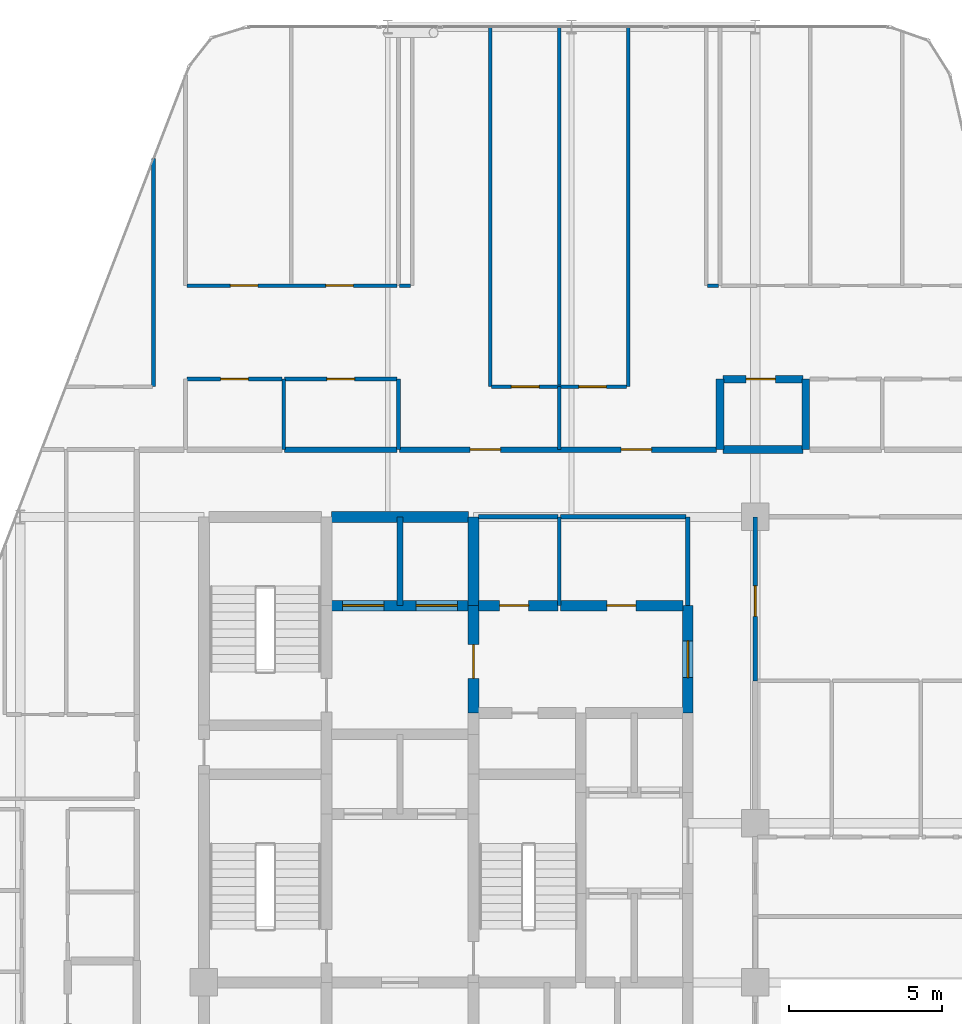
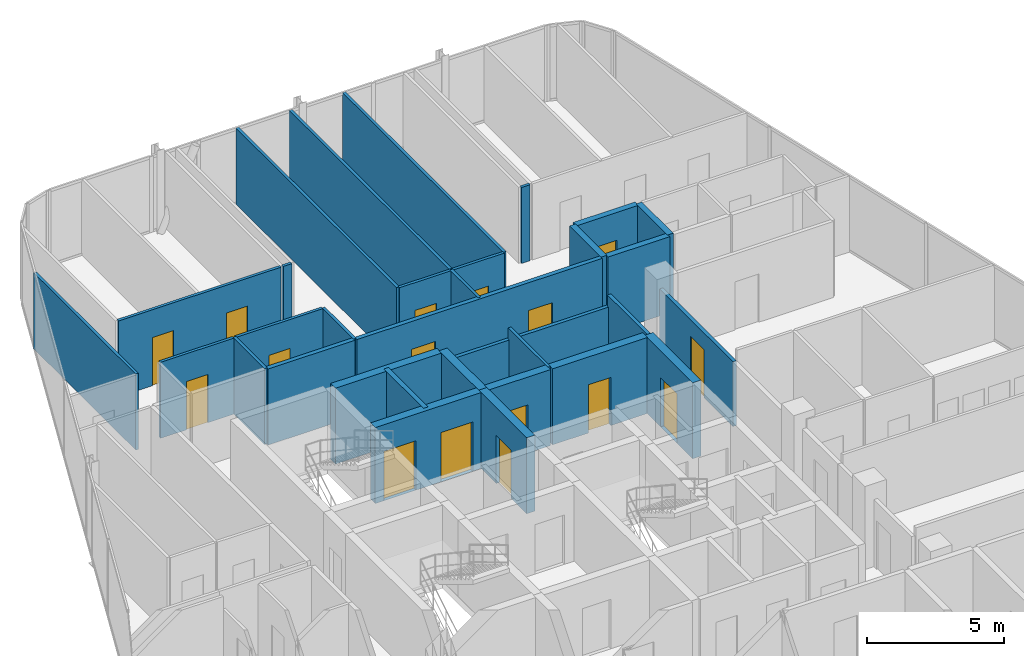
# One storey, part 27 of 29: 32 walls, 16 doors, 16 openings.
"""IFC4 building model written with IfcOpenShell, lengths in metres."""

from ifc_helpers import new_model, si_unit, direction, frame, frame_2d, origin, place, context, subcontext, project, spatial, rectangle, extrude, material, layer, layer_set, type_object, element, fill, save


model = new_model("IFC4")

# Units and contexts
model_context = context("Model", 3, precision=1e-05, world=origin(), true_north=direction((0.0, 1.0)))
body_context = subcontext(model_context, "Body", "Model", "MODEL_VIEW")
ifc_project = project(units=[si_unit("LENGTHUNIT", "METRE"), si_unit("AREAUNIT", "SQUARE_METRE"), si_unit("VOLUMEUNIT", "CUBIC_METRE"), si_unit("PLANEANGLEUNIT", "RADIAN"), si_unit("MASSUNIT", "GRAM", prefix="KILO")], contexts=[model_context])

# Site, building, storey
site_placement = place(None, origin())
site = spatial("IfcSite", under=ifc_project, at=site_placement, CompositionType="ELEMENT")
building_placement = place(site_placement, origin())
building = spatial("IfcBuilding", under=site, at=building_placement, Name="Keshet Zoharim Tower", CompositionType="ELEMENT")
storey_placement = place(building_placement, frame((0.0, 0.0, 192.10009765625)))
storey = spatial("IfcBuildingStorey", under=building, at=storey_placement, Name="L47", CompositionType="ELEMENT", Elevation=192.10009765625)

# Wall
ifc_material_1 = material(Name="Gypsum Plasterboard", Category="gypsum")
ifc_layer_1 = layer(ifc_material_1, 0.14990234375)
ifc_layer_set_1 = layer_set([ifc_layer_1], Name="Gypsum Plasterboard")
wall_type_1 = type_object("IfcWallType", Name="WL-CLIN-150", PredefinedType="STANDARD", material=ifc_layer_set_1)
wall_1_placement = place(storey_placement, frame((30.800048828125, 35.0, 0.0), z_axis=(0.0, 0.0, 1.0), x_axis=(0.0, 1.0, 0.0)))
element("IfcWall", 1, at=wall_1_placement, inside=storey, type_object=wall_type_1, Name="L47 Interior Wall 065", PredefinedType="STANDARD", context=body_context, shape_type="SweptSolid", body=[
    extrude(rectangle(XDim=2.89990234375, YDim=0.14990234375, at=frame_2d((1.449951171875, 0.0))), origin(), (0.0, 0.0, 1.0), 3.389892578125),
])

# Wall, opening, door
wall_2_placement = place(storey_placement, frame((33.0, 32.5400390625, 0.0), z_axis=(0.0, 0.0, 1.0), x_axis=(0.0, 1.0, 0.0)))
wall_2 = element("IfcWall", 2, at=wall_2_placement, inside=storey, type_object=wall_type_1, Name="L47 Interior Wall 075", PredefinedType="STANDARD", context=body_context, shape_type="SweptSolid", body=[
    extrude(rectangle(XDim=5.35986328125, YDim=0.14990234375, at=frame_2d((2.679931640625, 0.0))), origin(), (0.0, 0.0, 1.0), 2.889892578125),
])
opening_1_placement = place(wall_2_placement, frame((2.10888671875, 0.0, 0.0)))
opening_1 = element("IfcOpeningElement", 3, at=opening_1_placement, cuts=wall_2, Name="Opening D-F310", PredefinedType="OPENING", context=body_context, shape_type="SweptSolid", body=[
    extrude(rectangle(XDim=1.0, YDim=2.14990234375, at=frame_2d((0.5, 1.074951171875))), frame((0.0, 0.0849609375, 0.0), z_axis=(0.0, -1.0, 0.0), x_axis=(1.0, 0.0, 0.0)), (0.0, 0.0, 1.0), 0.169921875),
])
ifc_material_2 = material(Name="Hardwood Timber", Category="wood")
door_type_1 = type_object("IfcDoorType", Name="DR-FD30-100", OperationType="NOTDEFINED", PredefinedType="DOOR", material=ifc_material_2)
door_1_placement = place(opening_1_placement, origin())
door_1 = element("IfcDoor", 4, at=door_1_placement, inside=storey, type_object=door_type_1, Name="L47 North West Residents Services Suite Door 2", OperationType="SINGLE_SWING_RIGHT", OverallHeight=2.14990234375, OverallWidth=1.0, PredefinedType="DOOR", context=body_context, shape_type="SweptSolid", body=[
    extrude(rectangle(XDim=1.0, YDim=2.14990234375, at=frame_2d((0.5, 1.074951171875))), frame((0.0, 0.02490234375, 0.0), z_axis=(0.0, -1.0, 0.0), x_axis=(1.0, 0.0, 0.0)), (0.0, 0.0, 1.0), 0.050048828125),
])
fill(opening_1, door_1)

# Walls
wall_3_placement = place(storey_placement, frame((23.9599609375, 37.89990234375, 0.0), z_axis=(0.0, 0.0, 1.0), x_axis=(1.0, 0.0, 0.0)))
element("IfcWall", 5, at=wall_3_placement, inside=storey, type_object=wall_type_1, Name="L47 Interior Wall 178", PredefinedType="STANDARD", context=body_context, shape_type="SweptSolid", body=[
    extrude(rectangle(XDim=2.594970703125, YDim=0.14990234375, at=frame_2d((1.29736328125, 0.0))), origin(), (0.0, 0.0, 1.0), 2.889892578125),
])
wall_4_placement = place(storey_placement, frame((26.64501953125, 37.89990234375, 0.0), z_axis=(0.0, 0.0, 1.0), x_axis=(1.0, 0.0, 0.0)))
element("IfcWall", 6, at=wall_4_placement, inside=storey, type_object=wall_type_1, Name="L47 Interior Wall 179", PredefinedType="STANDARD", context=body_context, shape_type="SweptSolid", body=[
    extrude(rectangle(XDim=4.094970703125, YDim=0.14990234375, at=frame_2d((2.04736328125, 0.0))), origin(), (0.0, 0.0, 1.0), 2.889892578125),
])

# Wall, opening, door
ifc_material_3 = material(Name="Concrete C60/75", Category="concrete")
ifc_layer_2 = layer(ifc_material_3, 0.35009765625)
ifc_layer_set_2 = layer_set([ifc_layer_2], Name="Concrete C60/75")
wall_type_2 = type_object("IfcWallType", Name="WL-CORE-350", PredefinedType="SHEAR", material=ifc_layer_set_2)
wall_5_placement = place(storey_placement, frame((23.800048828125, 31.5, 0.0), z_axis=(0.0, 0.0, 1.0), x_axis=(0.0, 1.0, 0.0)))
wall_5 = element("IfcWall", 7, at=wall_5_placement, inside=storey, type_object=wall_type_2, Name="L47 Core Shear Wall 042", PredefinedType="SHEAR", context=body_context, shape_type="SweptSolid", body=[
    extrude(rectangle(XDim=3.5, YDim=0.35009765625, at=frame_2d((1.75, 0.0))), origin(), (0.0, 0.0, 1.0), 3.389892578125),
])
opening_2_placement = place(wall_5_placement, frame((1.126953125, 0.0, 0.0)))
opening_2 = element("IfcOpeningElement", 8, at=opening_2_placement, cuts=wall_5, Name="Opening D-F611", PredefinedType="OPENING", context=body_context, shape_type="SweptSolid", body=[
    extrude(rectangle(XDim=1.10009765625, YDim=2.14990234375, at=frame_2d((0.550048828125, 1.074951171875))), frame((0.0, 0.18505859375, 0.0), z_axis=(0.0, -1.0, 0.0), x_axis=(1.0, 0.0, 0.0)), (0.0, 0.0, 1.0), 0.3701171875),
])
door_type_2 = type_object("IfcDoorType", Name="DR-FD60-110", OperationType="NOTDEFINED", PredefinedType="DOOR", material=ifc_material_2)
door_2_placement = place(opening_2_placement, origin())
door_2 = element("IfcDoor", 9, at=door_2_placement, inside=storey, type_object=door_type_2, Name="L47 Firefighting Lobby Fire Door", OperationType="SINGLE_SWING_RIGHT", OverallHeight=2.14990234375, OverallWidth=1.10009765625, PredefinedType="DOOR", context=body_context, shape_type="SweptSolid", body=[
    extrude(rectangle(XDim=1.10009765625, YDim=2.14990234375, at=frame_2d((0.550048828125, 1.074951171875))), frame((0.0, 0.02490234375, 0.0), z_axis=(0.0, -1.0, 0.0), x_axis=(1.0, 0.0, 0.0)), (0.0, 0.0, 1.0), 0.050048828125),
])
fill(opening_2, door_2)

# Wall
wall_6_placement = place(storey_placement, frame((23.800048828125, 35.0, 0.0), z_axis=(0.0, 0.0, 1.0), x_axis=(0.0, 1.0, 0.0)))
element("IfcWall", 10, at=wall_6_placement, inside=storey, type_object=wall_type_2, Name="L47 Core Shear Wall 043", PredefinedType="SHEAR", context=body_context, shape_type="SweptSolid", body=[
    extrude(rectangle(XDim=2.89990234375, YDim=0.35009765625, at=frame_2d((1.449951171875, 0.0))), origin(), (0.0, 0.0, 1.0), 3.389892578125),
])

# Wall, opening, door
wall_7_placement = place(storey_placement, frame((30.800048828125, 31.5, 0.0), z_axis=(0.0, 0.0, 1.0), x_axis=(0.0, 1.0, 0.0)))
wall_7 = element("IfcWall", 11, at=wall_7_placement, inside=storey, type_object=wall_type_2, Name="L47 Core Shear Wall 064", PredefinedType="SHEAR", context=body_context, shape_type="SweptSolid", body=[
    extrude(rectangle(XDim=3.5, YDim=0.35009765625, at=frame_2d((1.75, 0.0))), origin(), (0.0, 0.0, 1.0), 3.389892578125),
])
opening_3_placement = place(wall_7_placement, frame((1.14990234375, 0.0, 0.0)))
opening_3 = element("IfcOpeningElement", 12, at=opening_3_placement, cuts=wall_7, Name="Opening D-F612", PredefinedType="OPENING", context=body_context, shape_type="SweptSolid", body=[
    extrude(rectangle(XDim=1.199951171875, YDim=2.199951171875, at=frame_2d((0.60009765625, 1.10009765625))), frame((0.0, 0.18505859375, 0.0), z_axis=(0.0, -1.0, 0.0), x_axis=(1.0, 0.0, 0.0)), (0.0, 0.0, 1.0), 0.3701171875),
])
door_type_3 = type_object("IfcDoorType", Name="DR-FD60-120", OperationType="NOTDEFINED", PredefinedType="DOOR", material=ifc_material_2)
door_3_placement = place(opening_3_placement, origin())
door_3 = element("IfcDoor", 13, at=door_3_placement, inside=storey, type_object=door_type_3, Name="L47 North Lift Lobby East Fire Door", OperationType="SINGLE_SWING_RIGHT", OverallHeight=2.199951171875, OverallWidth=1.199951171875, PredefinedType="DOOR", context=body_context, shape_type="SweptSolid", body=[
    extrude(rectangle(XDim=1.199951171875, YDim=2.199951171875, at=frame_2d((0.60009765625, 1.10009765625))), frame((0.0, 0.02490234375, 0.0), z_axis=(0.0, -1.0, 0.0), x_axis=(1.0, 0.0, 0.0)), (0.0, 0.0, 1.0), 0.050048828125),
])
fill(opening_3, door_3)

# Wall, openings, doors
wall_8_placement = place(storey_placement, frame((19.159912109375, 35.0, 0.0), z_axis=(0.0, 0.0, 1.0), x_axis=(1.0, 0.0, 0.0)))
wall_8 = element("IfcWall", 14, at=wall_8_placement, inside=storey, type_object=wall_type_2, Name="L47 Core Shear Wall 173", PredefinedType="SHEAR", context=body_context, shape_type="SweptSolid", body=[
    extrude(rectangle(XDim=4.47998046875, YDim=0.35009765625, at=frame_2d((2.239990234375, 0.0))), origin(), (0.0, 0.0, 1.0), 3.389892578125),
])
opening_4_placement = place(wall_8_placement, frame((0.364990234375, 0.0, 0.0)))
opening_4 = element("IfcOpeningElement", 15, at=opening_4_placement, cuts=wall_8, Name="Opening LD-02", PredefinedType="OPENING", context=body_context, shape_type="SweptSolid", body=[
    extrude(rectangle(XDim=1.35009765625, YDim=2.199951171875, at=frame_2d((0.675048828125, 1.10009765625))), frame((0.0, 0.18505859375, 0.0), z_axis=(0.0, -1.0, 0.0), x_axis=(1.0, 0.0, 0.0)), (0.0, 0.0, 1.0), 0.3701171875),
])
opening_5_placement = place(wall_8_placement, frame((2.764892578125, 0.0, 0.0)))
opening_5 = element("IfcOpeningElement", 16, at=opening_5_placement, cuts=wall_8, Name="Opening LD-02", PredefinedType="OPENING", context=body_context, shape_type="SweptSolid", body=[
    extrude(rectangle(XDim=1.35009765625, YDim=2.199951171875, at=frame_2d((0.675048828125, 1.10009765625))), frame((0.0, 0.18505859375, 0.0), z_axis=(0.0, -1.0, 0.0), x_axis=(1.0, 0.0, 0.0)), (0.0, 0.0, 1.0), 0.3701171875),
])
ifc_material_4 = material(Name="Steel S355", Category="steel")
door_type_4 = type_object("IfcDoorType", Name="DR-LD02-135", OperationType="DOUBLE_DOOR_SLIDING", PredefinedType="DOOR", material=ifc_material_4)
door_4_placement = place(opening_4_placement, origin())
door_4 = element("IfcDoor", 17, at=door_4_placement, inside=storey, type_object=door_type_4, Name="L47 Firefighting Lift Landing Door FF-01", OperationType="DOUBLE_DOOR_SLIDING", OverallHeight=2.199951171875, OverallWidth=1.35009765625, PredefinedType="DOOR", context=body_context, shape_type="SweptSolid", body=[
    extrude(rectangle(XDim=1.35009765625, YDim=2.199951171875, at=frame_2d((0.675048828125, 1.10009765625))), frame((0.0, 0.02490234375, 0.0), z_axis=(0.0, -1.0, 0.0), x_axis=(1.0, 0.0, 0.0)), (0.0, 0.0, 1.0), 0.050048828125),
])
fill(opening_4, door_4)
door_5_placement = place(opening_5_placement, origin())
door_5 = element("IfcDoor", 18, at=door_5_placement, inside=storey, type_object=door_type_4, Name="L47 Firefighting Lift Landing Door FF-02", OperationType="DOUBLE_DOOR_SLIDING", OverallHeight=2.199951171875, OverallWidth=1.35009765625, PredefinedType="DOOR", context=body_context, shape_type="SweptSolid", body=[
    extrude(rectangle(XDim=1.35009765625, YDim=2.199951171875, at=frame_2d((0.675048828125, 1.10009765625))), frame((0.0, 0.02490234375, 0.0), z_axis=(0.0, -1.0, 0.0), x_axis=(1.0, 0.0, 0.0)), (0.0, 0.0, 1.0), 0.050048828125),
])
fill(opening_5, door_5)

# Wall, opening, door
wall_9_placement = place(storey_placement, frame((23.9599609375, 35.0, 0.0), z_axis=(0.0, 0.0, 1.0), x_axis=(1.0, 0.0, 0.0)))
wall_9 = element("IfcWall", 19, at=wall_9_placement, inside=storey, type_object=wall_type_2, Name="L47 Core Shear Wall 174", PredefinedType="SHEAR", context=body_context, shape_type="SweptSolid", body=[
    extrude(rectangle(XDim=2.594970703125, YDim=0.35009765625, at=frame_2d((1.29736328125, 0.0))), origin(), (0.0, 0.0, 1.0), 3.389892578125),
])
opening_6_placement = place(wall_9_placement, frame((0.69091796875, 0.0, 0.0)))
opening_6 = element("IfcOpeningElement", 20, at=opening_6_placement, cuts=wall_9, Name="Opening D-F695", PredefinedType="OPENING", context=body_context, shape_type="SweptSolid", body=[
    extrude(rectangle(XDim=0.949951171875, YDim=2.14990234375, at=frame_2d((0.47509765625, 1.074951171875))), frame((0.0, 0.18505859375, 0.0), z_axis=(0.0, -1.0, 0.0), x_axis=(1.0, 0.0, 0.0)), (0.0, 0.0, 1.0), 0.3701171875),
])
door_type_5 = type_object("IfcDoorType", Name="DR-FD60-095", OperationType="NOTDEFINED", PredefinedType="DOOR", material=ifc_material_2)
door_6_placement = place(opening_6_placement, frame((0.949951171875, 0.0, 0.0), z_axis=(0.0, 0.0, 1.0), x_axis=(-1.0, 0.0, 0.0)))
door_6 = element("IfcDoor", 21, at=door_6_placement, inside=storey, type_object=door_type_5, Name="L47 Laundry Room Door", OperationType="SINGLE_SWING_RIGHT", OverallHeight=2.14990234375, OverallWidth=0.949951171875, PredefinedType="DOOR", context=body_context, shape_type="SweptSolid", body=[
    extrude(rectangle(XDim=0.949951171875, YDim=2.14990234375, at=frame_2d((0.47509765625, 1.074951171875))), frame((0.0, 0.02490234375, 0.0), z_axis=(0.0, -1.0, 0.0), x_axis=(1.0, 0.0, 0.0)), (0.0, 0.0, 1.0), 0.050048828125),
])
fill(opening_6, door_6)

wall_10_placement = place(storey_placement, frame((26.64501953125, 35.0, 0.0), z_axis=(0.0, 0.0, 1.0), x_axis=(1.0, 0.0, 0.0)))
wall_10 = element("IfcWall", 22, at=wall_10_placement, inside=storey, type_object=wall_type_2, Name="L47 Core Shear Wall 175", PredefinedType="SHEAR", context=body_context, shape_type="SweptSolid", body=[
    extrude(rectangle(XDim=3.994873046875, YDim=0.35009765625, at=frame_2d((1.99755859375, 0.0))), origin(), (0.0, 0.0, 1.0), 3.389892578125),
])
opening_7_placement = place(wall_10_placement, frame((1.508056640625, 0.0, 0.0)))
opening_7 = element("IfcOpeningElement", 23, at=opening_7_placement, cuts=wall_10, Name="Opening D-F695", PredefinedType="OPENING", context=body_context, shape_type="SweptSolid", body=[
    extrude(rectangle(XDim=0.949951171875, YDim=2.14990234375, at=frame_2d((0.47509765625, 1.074951171875))), frame((0.0, 0.18505859375, 0.0), z_axis=(0.0, -1.0, 0.0), x_axis=(1.0, 0.0, 0.0)), (0.0, 0.0, 1.0), 0.3701171875),
])
door_7_placement = place(opening_7_placement, frame((0.949951171875, 0.0, 0.0), z_axis=(0.0, 0.0, 1.0), x_axis=(-1.0, 0.0, 0.0)))
door_7 = element("IfcDoor", 24, at=door_7_placement, inside=storey, type_object=door_type_5, Name="L47 Quiet Study Room Door", OperationType="SINGLE_SWING_LEFT", OverallHeight=2.14990234375, OverallWidth=0.949951171875, PredefinedType="DOOR", context=body_context, shape_type="SweptSolid", body=[
    extrude(rectangle(XDim=0.949951171875, YDim=2.14990234375, at=frame_2d((0.47509765625, 1.074951171875))), frame((0.0, 0.02490234375, 0.0), z_axis=(0.0, -1.0, 0.0), x_axis=(1.0, 0.0, 0.0)), (0.0, 0.0, 1.0), 0.050048828125),
])
fill(opening_7, door_7)

# Walls
wall_11_placement = place(storey_placement, frame((19.159912109375, 37.89990234375, 0.0), z_axis=(0.0, 0.0, 1.0), x_axis=(1.0, 0.0, 0.0)))
element("IfcWall", 25, at=wall_11_placement, inside=storey, type_object=wall_type_2, Name="L47 Core Shear Wall 177", PredefinedType="SHEAR", context=body_context, shape_type="SweptSolid", body=[
    extrude(rectangle(XDim=4.47998046875, YDim=0.35009765625, at=frame_2d((2.239990234375, 0.0))), origin(), (0.0, 0.0, 1.0), 3.389892578125),
])
ifc_layer_3 = layer(ifc_material_1, 0.179931640625)
ifc_layer_set_3 = layer_set([ifc_layer_3], Name="Gypsum Plasterboard")
wall_type_3 = type_object("IfcWallType", Name="WL-CORR-180", PredefinedType="STANDARD", material=ifc_layer_set_3)
wall_12_placement = place(storey_placement, frame((17.636962890625, 40.10009765625, 0.0), z_axis=(0.0, 0.0, 1.0), x_axis=(1.0, 0.0, 0.0)))
element("IfcWall", 26, at=wall_12_placement, inside=storey, type_object=wall_type_3, Name="L47 Interior Wall 185", PredefinedType="STANDARD", context=body_context, shape_type="SweptSolid", body=[
    extrude(rectangle(XDim=3.657958984375, YDim=0.179931640625, at=frame_2d((1.8291015625, 0.0))), origin(), (0.0, 0.0, 1.0), 3.389892578125),
])

# Wall, openings, doors
wall_13_placement = place(storey_placement, frame((21.385009765625, 40.10009765625, 0.0), z_axis=(0.0, 0.0, 1.0), x_axis=(1.0, 0.0, 0.0)))
wall_13 = element("IfcWall", 27, at=wall_13_placement, inside=storey, type_object=wall_type_3, Name="L47 Interior Wall 186", PredefinedType="STANDARD", context=body_context, shape_type="SweptSolid", body=[
    extrude(rectangle(XDim=10.344970703125, YDim=0.179931640625, at=frame_2d((5.17236328125, 0.0))), origin(), (0.0, 0.0, 1.0), 3.389892578125),
])
opening_8_placement = place(wall_13_placement, frame((2.304931640625, 0.0, 0.0)))
opening_8 = element("IfcOpeningElement", 28, at=opening_8_placement, cuts=wall_13, Name="Opening D-F310", PredefinedType="OPENING", context=body_context, shape_type="SweptSolid", body=[
    extrude(rectangle(XDim=1.0, YDim=2.14990234375, at=frame_2d((0.5, 1.074951171875))), frame((0.0, 0.10009765625, 0.0), z_axis=(0.0, -1.0, 0.0), x_axis=(1.0, 0.0, 0.0)), (0.0, 0.0, 1.0), 0.199951171875),
])
opening_9_placement = place(wall_13_placement, frame((7.235107421875, 0.0, 0.0)))
opening_9 = element("IfcOpeningElement", 29, at=opening_9_placement, cuts=wall_13, Name="Opening D-F310", PredefinedType="OPENING", context=body_context, shape_type="SweptSolid", body=[
    extrude(rectangle(XDim=1.0, YDim=2.14990234375, at=frame_2d((0.5, 1.074951171875))), frame((0.0, 0.10009765625, 0.0), z_axis=(0.0, -1.0, 0.0), x_axis=(1.0, 0.0, 0.0)), (0.0, 0.0, 1.0), 0.199951171875),
])
door_8_placement = place(opening_8_placement, origin())
door_8 = element("IfcDoor", 30, at=door_8_placement, inside=storey, type_object=door_type_1, Name="Apartment 4704 Entrance Door", OperationType="SINGLE_SWING_LEFT", OverallHeight=2.14990234375, OverallWidth=1.0, PredefinedType="DOOR", context=body_context, shape_type="SweptSolid", body=[
    extrude(rectangle(XDim=1.0, YDim=2.14990234375, at=frame_2d((0.5, 1.074951171875))), frame((0.0, 0.02490234375, 0.0), z_axis=(0.0, -1.0, 0.0), x_axis=(1.0, 0.0, 0.0)), (0.0, 0.0, 1.0), 0.050048828125),
])
fill(opening_8, door_8)
door_9_placement = place(opening_9_placement, origin())
door_9 = element("IfcDoor", 31, at=door_9_placement, inside=storey, type_object=door_type_1, Name="Apartment 4705 Entrance Door", OperationType="SINGLE_SWING_RIGHT", OverallHeight=2.14990234375, OverallWidth=1.0, PredefinedType="DOOR", context=body_context, shape_type="SweptSolid", body=[
    extrude(rectangle(XDim=1.0, YDim=2.14990234375, at=frame_2d((0.5, 1.074951171875))), frame((0.0, 0.02490234375, 0.0), z_axis=(0.0, -1.0, 0.0), x_axis=(1.0, 0.0, 0.0)), (0.0, 0.0, 1.0), 0.050048828125),
])
fill(opening_9, door_9)

# Walls
ifc_material_5 = material(Name="Concrete C50/60", Category="concrete")
ifc_layer_4 = layer(ifc_material_5, 0.199951171875)
ifc_layer_set_4 = layer_set([ifc_layer_4], Name="Concrete C50/60")
wall_type_4 = type_object("IfcWallType", Name="WL-FIRE-200", PredefinedType="STANDARD", material=ifc_layer_set_4)
wall_14_placement = place(storey_placement, frame((21.39990234375, 35.0, 0.0), z_axis=(0.0, 0.0, 1.0), x_axis=(0.0, 1.0, 0.0)))
element("IfcWall", 32, at=wall_14_placement, inside=storey, type_object=wall_type_4, Name="L47 Interior Wall 035", PredefinedType="STANDARD", context=body_context, shape_type="SweptSolid", body=[
    extrude(rectangle(XDim=2.89990234375, YDim=0.199951171875, at=frame_2d((1.449951171875, 0.0))), origin(), (0.0, 0.0, 1.0), 3.389892578125),
])
ifc_layer_5 = layer(ifc_material_5, 0.25)
ifc_layer_set_5 = layer_set([ifc_layer_5], Name="Concrete C50/60")
wall_type_5 = type_object("IfcWallType", Name="WL-MAMAD-250", PredefinedType="STANDARD", material=ifc_layer_set_5)
for number, where, z_axis, x_axis, name in (
    (33, (31.85009765625, 40.10009765625, 0.0), (0.0, 0.0, 1.0), (0.0, 1.0, 0.0), "L47 Interior Wall 070"),
    (34, (34.64990234375, 40.10009765625, 0.0), (0.0, 0.0, 1.0), (0.0, 1.0, 0.0), "L47 Interior Wall 078"),
):
    element("IfcWall", number, at=place(storey_placement, frame(where, z_axis=z_axis, x_axis=x_axis)), inside=storey, type_object=wall_type_5, Name=name, PredefinedType="STANDARD", context=body_context, shape_type="SweptSolid", body=[
        extrude(rectangle(XDim=2.2998046875, YDim=0.25, at=frame_2d((1.14990234375, 0.0))), origin(), (0.0, 0.0, 1.0), 3.389892578125),
    ])
wall_15_placement = place(storey_placement, frame((31.949951171875, 40.10009765625, 0.0), z_axis=(0.0, 0.0, 1.0), x_axis=(1.0, 0.0, 0.0)))
element("IfcWall", 35, at=wall_15_placement, inside=storey, type_object=wall_type_5, Name="L47 Interior Wall 187", PredefinedType="STANDARD", context=body_context, shape_type="SweptSolid", body=[
    extrude(rectangle(XDim=2.614013671875, YDim=0.25, at=frame_2d((1.30712890625, 0.0))), origin(), (0.0, 0.0, 1.0), 3.389892578125),
])

# Wall, opening, door
wall_16_placement = place(storey_placement, frame((31.949951171875, 42.39990234375, 0.0), z_axis=(0.0, 0.0, 1.0), x_axis=(1.0, 0.0, 0.0)))
wall_16 = element("IfcWall", 36, at=wall_16_placement, inside=storey, type_object=wall_type_5, Name="L47 Interior Wall 197", PredefinedType="STANDARD", context=body_context, shape_type="SweptSolid", body=[
    extrude(rectangle(XDim=2.614013671875, YDim=0.25, at=frame_2d((1.30712890625, 0.0))), origin(), (0.0, 0.0, 1.0), 3.389892578125),
])
opening_10_placement = place(wall_16_placement, frame((0.756103515625, 0.0, 0.0)))
opening_10 = element("IfcOpeningElement", 37, at=opening_10_placement, cuts=wall_16, Name="Opening D-F695", PredefinedType="OPENING", context=body_context, shape_type="SweptSolid", body=[
    extrude(rectangle(XDim=0.949951171875, YDim=2.14990234375, at=frame_2d((0.47509765625, 1.074951171875))), frame((0.0, 0.135009765625, 0.0), z_axis=(0.0, -1.0, 0.0), x_axis=(1.0, 0.0, 0.0)), (0.0, 0.0, 1.0), 0.27001953125),
])
door_10_placement = place(opening_10_placement, origin())
door_10 = element("IfcDoor", 38, at=door_10_placement, inside=storey, type_object=door_type_5, Name="Apartment 4705 Study and Shelter Room Door", OperationType="SINGLE_SWING_RIGHT", OverallHeight=2.14990234375, OverallWidth=0.949951171875, PredefinedType="DOOR", context=body_context, shape_type="SweptSolid", body=[
    extrude(rectangle(XDim=0.949951171875, YDim=2.14990234375, at=frame_2d((0.47509765625, 1.074951171875))), frame((0.0, 0.02490234375, 0.0), z_axis=(0.0, -1.0, 0.0), x_axis=(1.0, 0.0, 0.0)), (0.0, 0.0, 1.0), 0.050048828125),
])
fill(opening_10, door_10)

# Walls
ifc_layer_6 = layer(ifc_material_1, 0.1201171875)
ifc_layer_set_6 = layer_set([ifc_layer_6], Name="Gypsum Plasterboard")
wall_type_6 = type_object("IfcWallType", Name="WL-PART-120", PredefinedType="PARTITIONING", material=ifc_layer_set_6)
wall_17_placement = place(storey_placement, frame((13.35009765625, 42.14990234375, 0.0), z_axis=(0.0, 0.0, 1.0), x_axis=(0.0, 1.0, 0.0)))
element("IfcWall", 39, at=wall_17_placement, inside=storey, type_object=wall_type_6, Name="L47 Interior Wall 013", PredefinedType="PARTITIONING", context=body_context, shape_type="SweptSolid", body=[
    extrude(rectangle(XDim=7.4501953125, YDim=0.1201171875, at=frame_2d((3.72509765625, 0.0))), origin(), (0.0, 0.0, 1.0), 3.389892578125),
])
wall_18_placement = place(storey_placement, frame((24.35009765625, 42.14990234375, 0.0), z_axis=(0.0, 0.0, 1.0), x_axis=(0.0, 1.0, 0.0)))
element("IfcWall", 40, at=wall_18_placement, inside=storey, type_object=wall_type_6, Name="L47 Interior Wall 044", PredefinedType="PARTITIONING", context=body_context, shape_type="SweptSolid", body=[
    extrude(rectangle(XDim=11.739990234375, YDim=0.1201171875, at=frame_2d((5.8701171875, 0.0))), origin(), (0.0, 0.0, 1.0), 3.389892578125),
])
wall_19_placement = place(storey_placement, frame((26.60009765625, 35.0, 0.0), z_axis=(0.0, 0.0, 1.0), x_axis=(0.0, 1.0, 0.0)))
element("IfcWall", 41, at=wall_19_placement, inside=storey, type_object=wall_type_6, Name="L47 Interior Wall 048", PredefinedType="PARTITIONING", context=body_context, shape_type="SweptSolid", body=[
    extrude(rectangle(XDim=2.89990234375, YDim=0.1201171875, at=frame_2d((1.449951171875, 0.0))), origin(), (0.0, 0.0, 1.0), 3.389892578125),
])
wall_20_placement = place(storey_placement, frame((26.60009765625, 40.10009765625, 0.0), z_axis=(0.0, 0.0, 1.0), x_axis=(0.0, 1.0, 0.0)))
element("IfcWall", 42, at=wall_20_placement, inside=storey, type_object=wall_type_6, Name="L47 Interior Wall 049", PredefinedType="PARTITIONING", context=body_context, shape_type="SweptSolid", body=[
    extrude(rectangle(XDim=2.0498046875, YDim=0.1201171875, at=frame_2d((1.02490234375, 0.0))), origin(), (0.0, 0.0, 1.0), 3.389892578125),
])
for number, where, z_axis, x_axis, name in (
    (43, (26.60009765625, 42.14990234375, 0.0), (0.0, 0.0, 1.0), (0.0, 1.0, 0.0), "L47 Interior Wall 050"),
    (44, (28.85009765625, 42.14990234375, 0.0), (0.0, 0.0, 1.0), (0.0, 1.0, 0.0), "L47 Interior Wall 057"),
):
    element("IfcWall", number, at=place(storey_placement, frame(where, z_axis=z_axis, x_axis=x_axis)), inside=storey, type_object=wall_type_6, Name=name, PredefinedType="PARTITIONING", context=body_context, shape_type="SweptSolid", body=[
        extrude(rectangle(XDim=11.739990234375, YDim=0.1201171875, at=frame_2d((5.8701171875, 0.0))), origin(), (0.0, 0.0, 1.0), 3.389892578125),
    ])

# Wall, openings, doors
wall_21_placement = place(storey_placement, frame((24.385009765625, 42.14990234375, 0.0), z_axis=(0.0, 0.0, 1.0), x_axis=(1.0, 0.0, 0.0)))
wall_21 = element("IfcWall", 45, at=wall_21_placement, inside=storey, type_object=wall_type_6, Name="L47 Interior Wall 194", PredefinedType="PARTITIONING", context=body_context, shape_type="SweptSolid", body=[
    extrude(rectangle(XDim=4.409912109375, YDim=0.1201171875, at=frame_2d((2.205078125, 0.0))), origin(), (0.0, 0.0, 1.0), 3.389892578125),
])
opening_11_placement = place(wall_21_placement, frame((0.655029296875, 0.0, 0.0)))
opening_11 = element("IfcOpeningElement", 46, at=opening_11_placement, cuts=wall_21, Name="Opening D-IN90", PredefinedType="OPENING", context=body_context, shape_type="SweptSolid", body=[
    extrude(rectangle(XDim=0.89990234375, YDim=2.14990234375, at=frame_2d((0.449951171875, 1.074951171875))), frame((0.0, 0.070068359375, 0.0), z_axis=(0.0, -1.0, 0.0), x_axis=(1.0, 0.0, 0.0)), (0.0, 0.0, 1.0), 0.14013671875),
])
opening_12_placement = place(wall_21_placement, frame((2.85498046875, 0.0, 0.0)))
opening_12 = element("IfcOpeningElement", 47, at=opening_12_placement, cuts=wall_21, Name="Opening D-IN90", PredefinedType="OPENING", context=body_context, shape_type="SweptSolid", body=[
    extrude(rectangle(XDim=0.89990234375, YDim=2.14990234375, at=frame_2d((0.449951171875, 1.074951171875))), frame((0.0, 0.070068359375, 0.0), z_axis=(0.0, -1.0, 0.0), x_axis=(1.0, 0.0, 0.0)), (0.0, 0.0, 1.0), 0.14013671875),
])
door_type_6 = type_object("IfcDoorType", Name="DR-INT-090", OperationType="NOTDEFINED", PredefinedType="DOOR", material=ifc_material_2)
door_11_placement = place(opening_11_placement, origin())
door_11 = element("IfcDoor", 48, at=door_11_placement, inside=storey, type_object=door_type_6, Name="Apartment 4704 Formal Dining Room Door", OperationType="SINGLE_SWING_RIGHT", OverallHeight=2.14990234375, OverallWidth=0.89990234375, PredefinedType="DOOR", context=body_context, shape_type="SweptSolid", body=[
    extrude(rectangle(XDim=0.89990234375, YDim=2.14990234375, at=frame_2d((0.449951171875, 1.074951171875))), frame((0.0, 0.02490234375, 0.0), z_axis=(0.0, -1.0, 0.0), x_axis=(1.0, 0.0, 0.0)), (0.0, 0.0, 1.0), 0.050048828125),
])
fill(opening_11, door_11)
door_12_placement = place(opening_12_placement, origin())
door_12 = element("IfcDoor", 49, at=door_12_placement, inside=storey, type_object=door_type_6, Name="Apartment 4705 Formal Dining Room Door", OperationType="SINGLE_SWING_LEFT", OverallHeight=2.14990234375, OverallWidth=0.89990234375, PredefinedType="DOOR", context=body_context, shape_type="SweptSolid", body=[
    extrude(rectangle(XDim=0.89990234375, YDim=2.14990234375, at=frame_2d((0.449951171875, 1.074951171875))), frame((0.0, 0.02490234375, 0.0), z_axis=(0.0, -1.0, 0.0), x_axis=(1.0, 0.0, 0.0)), (0.0, 0.0, 1.0), 0.050048828125),
])
fill(opening_12, door_12)

# Wall, opening, door
wall_22_placement = place(storey_placement, frame((14.445068359375, 42.39990234375, 0.0), z_axis=(0.0, 0.0, 1.0), x_axis=(1.0, 0.0, 0.0)))
wall_22 = element("IfcWall", 50, at=wall_22_placement, inside=storey, type_object=wall_type_6, Name="L47 Interior Wall 195", PredefinedType="PARTITIONING", context=body_context, shape_type="SweptSolid", body=[
    extrude(rectangle(XDim=3.10205078125, YDim=0.1201171875, at=frame_2d((1.551025390625, 0.0))), origin(), (0.0, 0.0, 1.0), 3.389892578125),
])
opening_13_placement = place(wall_22_placement, frame((1.10107421875, 0.0, 0.0)))
opening_13 = element("IfcOpeningElement", 51, at=opening_13_placement, cuts=wall_22, Name="Opening D-IN90", PredefinedType="OPENING", context=body_context, shape_type="SweptSolid", body=[
    extrude(rectangle(XDim=0.89990234375, YDim=2.14990234375, at=frame_2d((0.449951171875, 1.074951171875))), frame((0.0, 0.070068359375, 0.0), z_axis=(0.0, -1.0, 0.0), x_axis=(1.0, 0.0, 0.0)), (0.0, 0.0, 1.0), 0.14013671875),
])
door_13_placement = place(opening_13_placement, origin())
door_13 = element("IfcDoor", 52, at=door_13_placement, inside=storey, type_object=door_type_6, Name="Apartment 4704 Kitchen Door", OperationType="SINGLE_SWING_RIGHT", OverallHeight=2.14990234375, OverallWidth=0.89990234375, PredefinedType="DOOR", context=body_context, shape_type="SweptSolid", body=[
    extrude(rectangle(XDim=0.89990234375, YDim=2.14990234375, at=frame_2d((0.449951171875, 1.074951171875))), frame((0.0, 0.02490234375, 0.0), z_axis=(0.0, -1.0, 0.0), x_axis=(1.0, 0.0, 0.0)), (0.0, 0.0, 1.0), 0.050048828125),
])
fill(opening_13, door_13)

# Wall, openings, doors
wall_23_placement = place(storey_placement, frame((14.445068359375, 45.449951171875, 0.0), z_axis=(0.0, 0.0, 1.0), x_axis=(1.0, 0.0, 0.0)))
wall_23 = element("IfcWall", 53, at=wall_23_placement, inside=storey, type_object=wall_type_6, Name="L47 Interior Wall 200", PredefinedType="PARTITIONING", context=body_context, shape_type="SweptSolid", body=[
    extrude(rectangle(XDim=6.849853515625, YDim=0.1201171875, at=frame_2d((3.4248046875, 0.0))), origin(), (0.0, 0.0, 1.0), 3.389892578125),
])
opening_14_placement = place(wall_23_placement, frame((1.4150390625, 0.0, 0.0)))
opening_14 = element("IfcOpeningElement", 54, at=opening_14_placement, cuts=wall_23, Name="Opening D-IN90", PredefinedType="OPENING", context=body_context, shape_type="SweptSolid", body=[
    extrude(rectangle(XDim=0.89990234375, YDim=2.14990234375, at=frame_2d((0.449951171875, 1.074951171875))), frame((0.0, 0.070068359375, 0.0), z_axis=(0.0, -1.0, 0.0), x_axis=(1.0, 0.0, 0.0)), (0.0, 0.0, 1.0), 0.14013671875),
])
opening_15_placement = place(wall_23_placement, frame((4.534912109375, 0.0, 0.0)))
opening_15 = element("IfcOpeningElement", 55, at=opening_15_placement, cuts=wall_23, Name="Opening D-IN90", PredefinedType="OPENING", context=body_context, shape_type="SweptSolid", body=[
    extrude(rectangle(XDim=0.89990234375, YDim=2.14990234375, at=frame_2d((0.449951171875, 1.074951171875))), frame((0.0, 0.070068359375, 0.0), z_axis=(0.0, -1.0, 0.0), x_axis=(1.0, 0.0, 0.0)), (0.0, 0.0, 1.0), 0.14013671875),
])
door_14_placement = place(opening_14_placement, origin())
door_14 = element("IfcDoor", 56, at=door_14_placement, inside=storey, type_object=door_type_6, Name="Apartment 4704 Bedroom 1 Door", OperationType="SINGLE_SWING_LEFT", OverallHeight=2.14990234375, OverallWidth=0.89990234375, PredefinedType="DOOR", context=body_context, shape_type="SweptSolid", body=[
    extrude(rectangle(XDim=0.89990234375, YDim=2.14990234375, at=frame_2d((0.449951171875, 1.074951171875))), frame((0.0, 0.02490234375, 0.0), z_axis=(0.0, -1.0, 0.0), x_axis=(1.0, 0.0, 0.0)), (0.0, 0.0, 1.0), 0.050048828125),
])
fill(opening_14, door_14)
door_15_placement = place(opening_15_placement, origin())
door_15 = element("IfcDoor", 57, at=door_15_placement, inside=storey, type_object=door_type_6, Name="Apartment 4704 Bedroom 2 Door", OperationType="SINGLE_SWING_RIGHT", OverallHeight=2.14990234375, OverallWidth=0.89990234375, PredefinedType="DOOR", context=body_context, shape_type="SweptSolid", body=[
    extrude(rectangle(XDim=0.89990234375, YDim=2.14990234375, at=frame_2d((0.449951171875, 1.074951171875))), frame((0.0, 0.02490234375, 0.0), z_axis=(0.0, -1.0, 0.0), x_axis=(1.0, 0.0, 0.0)), (0.0, 0.0, 1.0), 0.050048828125),
])
fill(opening_15, door_15)

# Walls
wall_24_placement = place(storey_placement, frame((21.385009765625, 45.449951171875, 0.0), z_axis=(0.0, 0.0, 1.0), x_axis=(1.0, 0.0, 0.0)))
element("IfcWall", 58, at=wall_24_placement, inside=storey, type_object=wall_type_6, Name="L47 Interior Wall 201", PredefinedType="PARTITIONING", context=body_context, shape_type="SweptSolid", body=[
    extrude(rectangle(XDim=0.360107421875, YDim=0.1201171875, at=frame_2d((0.18017578125, 0.0))), origin(), (0.0, 0.0, 1.0), 3.389892578125),
])
wall_25_placement = place(storey_placement, frame((31.43505859375, 45.449951171875, 0.0), z_axis=(0.0, 0.0, 1.0), x_axis=(1.0, 0.0, 0.0)))
element("IfcWall", 59, at=wall_25_placement, inside=storey, type_object=wall_type_6, Name="L47 Interior Wall 202", PredefinedType="PARTITIONING", context=body_context, shape_type="SweptSolid", body=[
    extrude(rectangle(XDim=0.35986328125, YDim=0.1201171875, at=frame_2d((0.179931640625, 0.0))), origin(), (0.0, 0.0, 1.0), 3.389892578125),
])
ifc_layer_7 = layer(ifc_material_1, 0.1201171875)
ifc_layer_set_7 = layer_set([ifc_layer_7], Name="Gypsum Plasterboard")
wall_type_7 = type_object("IfcWallType", Name="WL-WET-120", PredefinedType="PARTITIONING", material=ifc_layer_set_7)
for number, where, z_axis, x_axis, name in (
    (60, (17.60009765625, 40.10009765625, 0.0), (0.0, 0.0, 1.0), (0.0, 1.0, 0.0), "L47 Interior Wall 022"),
    (61, (21.35009765625, 40.10009765625, 0.0), (0.0, 0.0, 1.0), (0.0, 1.0, 0.0), "L47 Interior Wall 032"),
):
    element("IfcWall", number, at=place(storey_placement, frame(where, z_axis=z_axis, x_axis=x_axis)), inside=storey, type_object=wall_type_7, Name=name, PredefinedType="PARTITIONING", context=body_context, shape_type="SweptSolid", body=[
        extrude(rectangle(XDim=2.2998046875, YDim=0.1201171875, at=frame_2d((1.14990234375, 0.0))), origin(), (0.0, 0.0, 1.0), 3.389892578125),
    ])

# Wall, opening, door
wall_26_placement = place(storey_placement, frame((17.636962890625, 42.39990234375, 0.0), z_axis=(0.0, 0.0, 1.0), x_axis=(1.0, 0.0, 0.0)))
wall_26 = element("IfcWall", 62, at=wall_26_placement, inside=storey, type_object=wall_type_7, Name="L47 Interior Wall 196", PredefinedType="PARTITIONING", context=body_context, shape_type="SweptSolid", body=[
    extrude(rectangle(XDim=3.657958984375, YDim=0.1201171875, at=frame_2d((1.8291015625, 0.0))), origin(), (0.0, 0.0, 1.0), 3.389892578125),
])
opening_16_placement = place(wall_26_placement, frame((1.37890625, 0.0, 0.0)))
opening_16 = element("IfcOpeningElement", 63, at=opening_16_placement, cuts=wall_26, Name="Opening D-WT90", PredefinedType="OPENING", context=body_context, shape_type="SweptSolid", body=[
    extrude(rectangle(XDim=0.89990234375, YDim=2.10009765625, at=frame_2d((0.449951171875, 1.050048828125))), frame((0.0, 0.070068359375, 0.0), z_axis=(0.0, -1.0, 0.0), x_axis=(1.0, 0.0, 0.0)), (0.0, 0.0, 1.0), 0.14013671875),
])
door_type_7 = type_object("IfcDoorType", Name="DR-WET-090", OperationType="NOTDEFINED", PredefinedType="DOOR", material=ifc_material_2)
door_16_placement = place(opening_16_placement, origin())
door_16 = element("IfcDoor", 64, at=door_16_placement, inside=storey, type_object=door_type_7, Name="Apartment 4704 Bathroom Door", OperationType="SINGLE_SWING_LEFT", OverallHeight=2.10009765625, OverallWidth=0.89990234375, PredefinedType="DOOR", context=body_context, shape_type="SweptSolid", body=[
    extrude(rectangle(XDim=0.89990234375, YDim=2.10009765625, at=frame_2d((0.449951171875, 1.050048828125))), frame((0.0, 0.02490234375, 0.0), z_axis=(0.0, -1.0, 0.0), x_axis=(1.0, 0.0, 0.0)), (0.0, 0.0, 1.0), 0.050048828125),
])
fill(opening_16, door_16)

save(model, "model.ifc")
